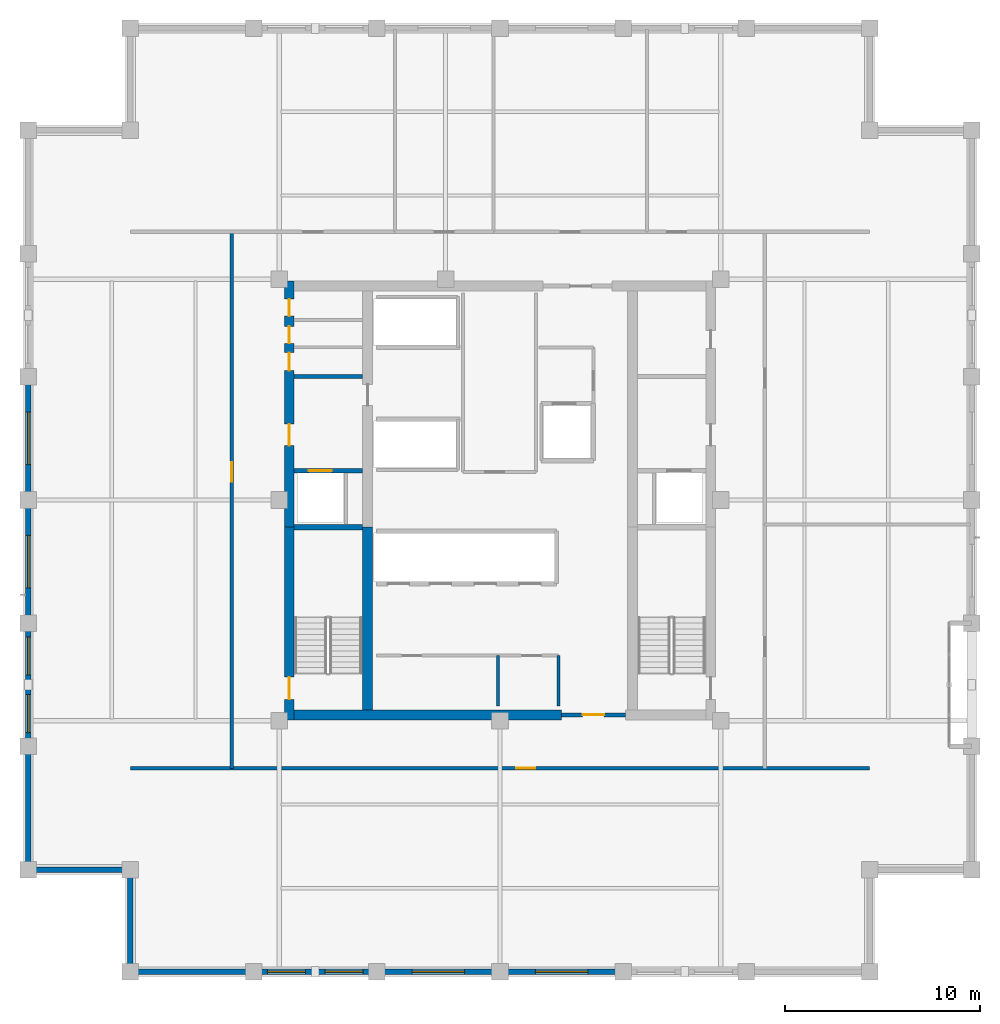
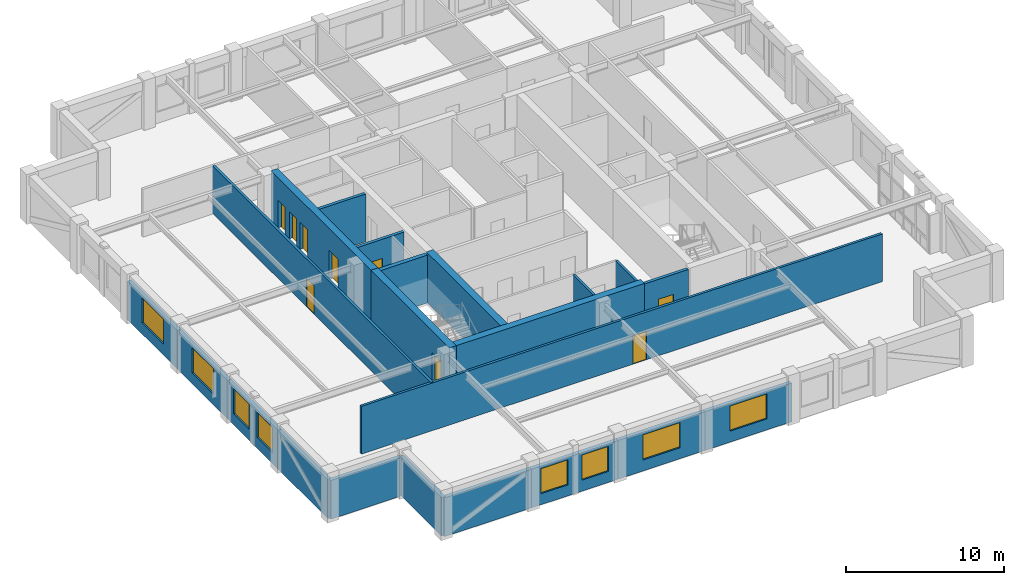
# One storey, part 7 of 11: 22 walls, 9 doors, 8 windows, 17 openings.
"""IFC4 building model written with IfcOpenShell, lengths in metres."""

from ifc_helpers import new_model, si_unit, direction, frame, frame_2d, origin, place, context, subcontext, project, spatial, rectangle, extrude, material, layer, layer_set, type_object, element, fill, save


model = new_model("IFC4")

# Units and contexts
model_context = context("Model", 3, precision=1e-05, world=origin(), true_north=direction((0.0, 1.0)))
body_context = subcontext(model_context, "Body", "Model", "MODEL_VIEW")
ifc_project = project(units=[si_unit("LENGTHUNIT", "METRE"), si_unit("AREAUNIT", "SQUARE_METRE"), si_unit("VOLUMEUNIT", "CUBIC_METRE"), si_unit("PLANEANGLEUNIT", "RADIAN"), si_unit("MASSUNIT", "GRAM", prefix="KILO")], contexts=[model_context])

# Site, building, storey
site_placement = place(None, origin())
site = spatial("IfcSite", under=ifc_project, at=site_placement, CompositionType="ELEMENT")
building_placement = place(site_placement, origin())
building = spatial("IfcBuilding", under=site, at=building_placement, Name="Nhamokura Convention Tower", CompositionType="ELEMENT")
storey_placement = place(building_placement, frame((0.0, 0.0, 244.64990234375)))
storey = spatial("IfcBuildingStorey", under=building, at=storey_placement, Name="L60", CompositionType="ELEMENT", Elevation=244.64990234375)

# Wall
ifc_material_1 = material(Name="Bronze-pigmented precast concrete C45/55", Category="concrete")
ifc_layer_1 = layer(ifc_material_1, 0.280029296875)
ifc_layer_set_1 = layer_set([ifc_layer_1], Name="BronzePrecastSpandrel_280")
wall_type_1 = type_object("IfcWallType", Name="BronzePrecastSpandrel_280", PredefinedType="USERDEFINED", material=ifc_layer_set_1)
wall_1_placement = place(storey_placement, frame((19.333251953125, 7.75, 0.0), z_axis=(0.0, 0.0, 1.0), x_axis=(-1.0, 0.0, 0.0)))
element("IfcWall", 1, at=wall_1_placement, inside=storey, type_object=wall_type_1, Name="L60 Braced-Bay Precast Wall SOUTH 0", ObjectType="SPANDREL_WALL", PredefinedType="USERDEFINED", context=body_context, shape_type="SweptSolid", body=[
    extrude(rectangle(XDim=6.333251953125, YDim=0.280029296875, at=frame_2d((3.16650390625, 0.0))), origin(), (0.0, 0.0, 1.0), 2.985107421875),
])

# Wall, openings, windows
wall_2_placement = place(storey_placement, frame((25.666748046875, 7.75, 0.0), z_axis=(0.0, 0.0, 1.0), x_axis=(-1.0, 0.0, 0.0)))
wall_2 = element("IfcWall", 2, at=wall_2_placement, inside=storey, type_object=wall_type_1, Name="L60 Masonry-Frame Wall SOUTH 1", ObjectType="SPANDREL_WALL", PredefinedType="USERDEFINED", context=body_context, shape_type="SweptSolid", body=[
    extrude(rectangle(XDim=6.33349609375, YDim=0.280029296875, at=frame_2d((3.166748046875, 0.0))), origin(), (0.0, 0.0, 1.0), 2.985107421875),
])
opening_1_placement = place(wall_2_placement, frame((0.708251953125, 0.0, 0.85009765625)))
opening_1 = element("IfcOpeningElement", 3, at=opening_1_placement, cuts=wall_2, Name="Opening W-08", PredefinedType="OPENING", context=body_context, shape_type="SweptSolid", body=[
    extrude(rectangle(XDim=1.949951171875, YDim=1.93505859375, at=frame_2d((0.97509765625, 0.967529296875))), frame((0.0, 0.14990234375, 0.0), z_axis=(0.0, -1.0, 0.0), x_axis=(1.0, 0.0, 0.0)), (0.0, 0.0, 1.0), 0.300048828125),
])
opening_2_placement = place(wall_2_placement, frame((3.675048828125, 0.0, 0.85009765625)))
opening_2 = element("IfcOpeningElement", 4, at=opening_2_placement, cuts=wall_2, Name="Opening W-08", PredefinedType="OPENING", context=body_context, shape_type="SweptSolid", body=[
    extrude(rectangle(XDim=1.949951171875, YDim=1.93505859375, at=frame_2d((0.97509765625, 0.967529296875))), frame((0.0, 0.14990234375, 0.0), z_axis=(0.0, -1.0, 0.0), x_axis=(1.0, 0.0, 0.0)), (0.0, 0.0, 1.0), 0.300048828125),
])
ifc_material_2 = material(Name="Solar-control bronze low-E double glass", Category="glass")
window_type_1 = type_object("IfcWindowType", Name="OfficeModuleWindow_Z3_1950", PartitioningType="SINGLE_PANEL", PredefinedType="WINDOW", material=ifc_material_2)
window_1_placement = place(opening_1_placement, origin())
window_1 = element("IfcWindow", 5, at=window_1_placement, inside=storey, type_object=window_type_1, Name="L60 Facade Window SOUTH 1-1", OverallHeight=1.93505859375, OverallWidth=1.949951171875, PartitioningType="SINGLE_PANEL", PredefinedType="WINDOW", context=body_context, shape_type="SweptSolid", body=[
    extrude(rectangle(XDim=1.949951171875, YDim=1.93505859375, at=frame_2d((0.97509765625, 0.967529296875))), frame((0.0, 0.030029296875, 0.0), z_axis=(0.0, -1.0, 0.0), x_axis=(1.0, 0.0, 0.0)), (0.0, 0.0, 1.0), 0.06005859375),
])
fill(opening_1, window_1)
window_2_placement = place(opening_2_placement, origin())
window_2 = element("IfcWindow", 6, at=window_2_placement, inside=storey, type_object=window_type_1, Name="L60 Facade Window SOUTH 1-2", OverallHeight=1.93505859375, OverallWidth=1.949951171875, PartitioningType="SINGLE_PANEL", PredefinedType="WINDOW", context=body_context, shape_type="SweptSolid", body=[
    extrude(rectangle(XDim=1.949951171875, YDim=1.93505859375, at=frame_2d((0.97509765625, 0.967529296875))), frame((0.0, 0.030029296875, 0.0), z_axis=(0.0, -1.0, 0.0), x_axis=(1.0, 0.0, 0.0)), (0.0, 0.0, 1.0), 0.06005859375),
])
fill(opening_2, window_2)

# Wall, opening, window
wall_3_placement = place(storey_placement, frame((32.0, 7.75, 0.0), z_axis=(0.0, 0.0, 1.0), x_axis=(-1.0, 0.0, 0.0)))
wall_3 = element("IfcWall", 7, at=wall_3_placement, inside=storey, type_object=wall_type_1, Name="L60 Masonry-Frame Wall SOUTH 2", ObjectType="SPANDREL_WALL", PredefinedType="USERDEFINED", context=body_context, shape_type="SweptSolid", body=[
    extrude(rectangle(XDim=6.333251953125, YDim=0.280029296875, at=frame_2d((3.16650390625, 0.0))), origin(), (0.0, 0.0, 1.0), 2.985107421875),
])
opening_3_placement = place(wall_3_placement, frame((1.816650390625, 0.0, 0.85009765625)))
opening_3 = element("IfcOpeningElement", 8, at=opening_3_placement, cuts=wall_3, Name="Opening W-07", PredefinedType="OPENING", context=body_context, shape_type="SweptSolid", body=[
    extrude(rectangle(XDim=2.699951171875, YDim=1.93505859375, at=frame_2d((1.35009765625, 0.967529296875))), frame((0.0, 0.14990234375, 0.0), z_axis=(0.0, -1.0, 0.0), x_axis=(1.0, 0.0, 0.0)), (0.0, 0.0, 1.0), 0.300048828125),
])
ifc_material_3 = material(Name="Solar-control bronze low-E double glass", Category="glass")
window_type_2 = type_object("IfcWindowType", Name="OfficeModuleWindow_Z3_2700", PartitioningType="DOUBLE_PANEL_VERTICAL", PredefinedType="WINDOW", material=ifc_material_3)
window_3_placement = place(opening_3_placement, origin())
window_3 = element("IfcWindow", 9, at=window_3_placement, inside=storey, type_object=window_type_2, Name="L60 Facade Window SOUTH 2", OverallHeight=1.93505859375, OverallWidth=2.699951171875, PartitioningType="SINGLE_PANEL", PredefinedType="WINDOW", context=body_context, shape_type="SweptSolid", body=[
    extrude(rectangle(XDim=2.699951171875, YDim=1.93505859375, at=frame_2d((1.35009765625, 0.967529296875))), frame((0.0, 0.030029296875, 0.0), z_axis=(0.0, -1.0, 0.0), x_axis=(1.0, 0.0, 0.0)), (0.0, 0.0, 1.0), 0.06005859375),
])
fill(opening_3, window_3)

wall_4_placement = place(storey_placement, frame((38.333251953125, 7.75, 0.0), z_axis=(0.0, 0.0, 1.0), x_axis=(-1.0, 0.0, 0.0)))
wall_4 = element("IfcWall", 10, at=wall_4_placement, inside=storey, type_object=wall_type_1, Name="L60 Masonry-Frame Wall SOUTH 3", ObjectType="SPANDREL_WALL", PredefinedType="USERDEFINED", context=body_context, shape_type="SweptSolid", body=[
    extrude(rectangle(XDim=6.333251953125, YDim=0.280029296875, at=frame_2d((3.16650390625, 0.0))), origin(), (0.0, 0.0, 1.0), 2.985107421875),
])
opening_4_placement = place(wall_4_placement, frame((1.816650390625, 0.0, 0.85009765625)))
opening_4 = element("IfcOpeningElement", 11, at=opening_4_placement, cuts=wall_4, Name="Opening W-07", PredefinedType="OPENING", context=body_context, shape_type="SweptSolid", body=[
    extrude(rectangle(XDim=2.699951171875, YDim=1.93505859375, at=frame_2d((1.35009765625, 0.967529296875))), frame((0.0, 0.14990234375, 0.0), z_axis=(0.0, -1.0, 0.0), x_axis=(1.0, 0.0, 0.0)), (0.0, 0.0, 1.0), 0.300048828125),
])
window_4_placement = place(opening_4_placement, origin())
window_4 = element("IfcWindow", 12, at=window_4_placement, inside=storey, type_object=window_type_2, Name="L60 Facade Window SOUTH 3", OverallHeight=1.93505859375, OverallWidth=2.699951171875, PartitioningType="SINGLE_PANEL", PredefinedType="WINDOW", context=body_context, shape_type="SweptSolid", body=[
    extrude(rectangle(XDim=2.699951171875, YDim=1.93505859375, at=frame_2d((1.35009765625, 0.967529296875))), frame((0.0, 0.030029296875, 0.0), z_axis=(0.0, -1.0, 0.0), x_axis=(1.0, 0.0, 0.0)), (0.0, 0.0, 1.0), 0.06005859375),
])
fill(opening_4, window_4)

# Wall
wall_5_placement = place(storey_placement, frame((7.75, 13.0, 0.0), z_axis=(0.0, 0.0, 1.0), x_axis=(0.0, 1.0, 0.0)))
element("IfcWall", 13, at=wall_5_placement, inside=storey, type_object=wall_type_1, Name="L60 Braced-Bay Precast Wall WEST 0", ObjectType="SPANDREL_WALL", PredefinedType="USERDEFINED", context=body_context, shape_type="SweptSolid", body=[
    extrude(rectangle(XDim=6.333251953125, YDim=0.280029296875, at=frame_2d((3.16650390625, 0.0))), origin(), (0.0, 0.0, 1.0), 2.985107421875),
])

# Wall, openings, windows
wall_6_placement = place(storey_placement, frame((7.75, 19.333251953125, 0.0), z_axis=(0.0, 0.0, 1.0), x_axis=(0.0, 1.0, 0.0)))
wall_6 = element("IfcWall", 14, at=wall_6_placement, inside=storey, type_object=wall_type_1, Name="L60 Masonry-Frame Wall WEST 1", ObjectType="SPANDREL_WALL", PredefinedType="USERDEFINED", context=body_context, shape_type="SweptSolid", body=[
    extrude(rectangle(XDim=6.33349609375, YDim=0.280029296875, at=frame_2d((3.166748046875, 0.0))), origin(), (0.0, 0.0, 1.0), 2.985107421875),
])
opening_5_placement = place(wall_6_placement, frame((0.708251953125, 0.0, 0.85009765625)))
opening_5 = element("IfcOpeningElement", 15, at=opening_5_placement, cuts=wall_6, Name="Opening W-08", PredefinedType="OPENING", context=body_context, shape_type="SweptSolid", body=[
    extrude(rectangle(XDim=1.949951171875, YDim=1.93505859375, at=frame_2d((0.97509765625, 0.967529296875))), frame((0.0, 0.14990234375, 0.0), z_axis=(0.0, -1.0, 0.0), x_axis=(1.0, 0.0, 0.0)), (0.0, 0.0, 1.0), 0.300048828125),
])
opening_6_placement = place(wall_6_placement, frame((3.675048828125, 0.0, 0.85009765625)))
opening_6 = element("IfcOpeningElement", 16, at=opening_6_placement, cuts=wall_6, Name="Opening W-08", PredefinedType="OPENING", context=body_context, shape_type="SweptSolid", body=[
    extrude(rectangle(XDim=1.949951171875, YDim=1.93505859375, at=frame_2d((0.97509765625, 0.967529296875))), frame((0.0, 0.14990234375, 0.0), z_axis=(0.0, -1.0, 0.0), x_axis=(1.0, 0.0, 0.0)), (0.0, 0.0, 1.0), 0.300048828125),
])
window_5_placement = place(opening_5_placement, origin())
window_5 = element("IfcWindow", 17, at=window_5_placement, inside=storey, type_object=window_type_1, Name="L60 Facade Window WEST 1-1", OverallHeight=1.93505859375, OverallWidth=1.949951171875, PartitioningType="SINGLE_PANEL", PredefinedType="WINDOW", context=body_context, shape_type="SweptSolid", body=[
    extrude(rectangle(XDim=1.949951171875, YDim=1.93505859375, at=frame_2d((0.97509765625, 0.967529296875))), frame((0.0, 0.030029296875, 0.0), z_axis=(0.0, -1.0, 0.0), x_axis=(1.0, 0.0, 0.0)), (0.0, 0.0, 1.0), 0.06005859375),
])
fill(opening_5, window_5)
window_6_placement = place(opening_6_placement, origin())
window_6 = element("IfcWindow", 18, at=window_6_placement, inside=storey, type_object=window_type_1, Name="L60 Facade Window WEST 1-2", OverallHeight=1.93505859375, OverallWidth=1.949951171875, PartitioningType="SINGLE_PANEL", PredefinedType="WINDOW", context=body_context, shape_type="SweptSolid", body=[
    extrude(rectangle(XDim=1.949951171875, YDim=1.93505859375, at=frame_2d((0.97509765625, 0.967529296875))), frame((0.0, 0.030029296875, 0.0), z_axis=(0.0, -1.0, 0.0), x_axis=(1.0, 0.0, 0.0)), (0.0, 0.0, 1.0), 0.06005859375),
])
fill(opening_6, window_6)

# Wall, opening, window
wall_7_placement = place(storey_placement, frame((7.75, 25.666748046875, 0.0), z_axis=(0.0, 0.0, 1.0), x_axis=(0.0, 1.0, 0.0)))
wall_7 = element("IfcWall", 19, at=wall_7_placement, inside=storey, type_object=wall_type_1, Name="L60 Masonry-Frame Wall WEST 2", ObjectType="SPANDREL_WALL", PredefinedType="USERDEFINED", context=body_context, shape_type="SweptSolid", body=[
    extrude(rectangle(XDim=6.333251953125, YDim=0.280029296875, at=frame_2d((3.16650390625, 0.0))), origin(), (0.0, 0.0, 1.0), 2.985107421875),
])
opening_7_placement = place(wall_7_placement, frame((1.816650390625, 0.0, 0.85009765625)))
opening_7 = element("IfcOpeningElement", 20, at=opening_7_placement, cuts=wall_7, Name="Opening W-07", PredefinedType="OPENING", context=body_context, shape_type="SweptSolid", body=[
    extrude(rectangle(XDim=2.699951171875, YDim=1.93505859375, at=frame_2d((1.35009765625, 0.967529296875))), frame((0.0, 0.14990234375, 0.0), z_axis=(0.0, -1.0, 0.0), x_axis=(1.0, 0.0, 0.0)), (0.0, 0.0, 1.0), 0.300048828125),
])
window_7_placement = place(opening_7_placement, origin())
window_7 = element("IfcWindow", 21, at=window_7_placement, inside=storey, type_object=window_type_2, Name="L60 Facade Window WEST 2", OverallHeight=1.93505859375, OverallWidth=2.699951171875, PartitioningType="SINGLE_PANEL", PredefinedType="WINDOW", context=body_context, shape_type="SweptSolid", body=[
    extrude(rectangle(XDim=2.699951171875, YDim=1.93505859375, at=frame_2d((1.35009765625, 0.967529296875))), frame((0.0, 0.030029296875, 0.0), z_axis=(0.0, -1.0, 0.0), x_axis=(1.0, 0.0, 0.0)), (0.0, 0.0, 1.0), 0.06005859375),
])
fill(opening_7, window_7)

wall_8_placement = place(storey_placement, frame((7.75, 32.0, 0.0), z_axis=(0.0, 0.0, 1.0), x_axis=(0.0, 1.0, 0.0)))
wall_8 = element("IfcWall", 22, at=wall_8_placement, inside=storey, type_object=wall_type_1, Name="L60 Masonry-Frame Wall WEST 3", ObjectType="SPANDREL_WALL", PredefinedType="USERDEFINED", context=body_context, shape_type="SweptSolid", body=[
    extrude(rectangle(XDim=6.333251953125, YDim=0.280029296875, at=frame_2d((3.16650390625, 0.0))), origin(), (0.0, 0.0, 1.0), 2.985107421875),
])
opening_8_placement = place(wall_8_placement, frame((1.816650390625, 0.0, 0.85009765625)))
opening_8 = element("IfcOpeningElement", 23, at=opening_8_placement, cuts=wall_8, Name="Opening W-07", PredefinedType="OPENING", context=body_context, shape_type="SweptSolid", body=[
    extrude(rectangle(XDim=2.699951171875, YDim=1.93505859375, at=frame_2d((1.35009765625, 0.967529296875))), frame((0.0, 0.14990234375, 0.0), z_axis=(0.0, -1.0, 0.0), x_axis=(1.0, 0.0, 0.0)), (0.0, 0.0, 1.0), 0.300048828125),
])
window_8_placement = place(opening_8_placement, origin())
window_8 = element("IfcWindow", 24, at=window_8_placement, inside=storey, type_object=window_type_2, Name="L60 Facade Window WEST 3", OverallHeight=1.93505859375, OverallWidth=2.699951171875, PartitioningType="SINGLE_PANEL", PredefinedType="WINDOW", context=body_context, shape_type="SweptSolid", body=[
    extrude(rectangle(XDim=2.699951171875, YDim=1.93505859375, at=frame_2d((1.35009765625, 0.967529296875))), frame((0.0, 0.030029296875, 0.0), z_axis=(0.0, -1.0, 0.0), x_axis=(1.0, 0.0, 0.0)), (0.0, 0.0, 1.0), 0.06005859375),
])
fill(opening_8, window_8)

# Walls
for number, where, z_axis, x_axis, name in (
    (25, (13.0, 7.75, 0.0), (0.0, 0.0, 1.0), (0.0, 1.0, 0.0), "L60 Notched Corner Wall SW1"),
    (26, (13.0, 13.0, 0.0), (0.0, 0.0, 1.0), (-1.0, 0.0, 0.0), "L60 Notched Corner Wall SW2"),
):
    element("IfcWall", number, at=place(storey_placement, frame(where, z_axis=z_axis, x_axis=x_axis)), inside=storey, type_object=wall_type_1, Name=name, ObjectType="SPANDREL_WALL", PredefinedType="USERDEFINED", context=body_context, shape_type="SweptSolid", body=[
        extrude(rectangle(XDim=5.25, YDim=0.280029296875, at=frame_2d((2.625, 0.0))), origin(), (0.0, 0.0, 1.0), 2.985107421875),
    ])

# Wall, opening, door
ifc_material_4 = material(Name="Concrete C60/75", Category="concrete")
ifc_layer_2 = layer(ifc_material_4, 0.5)
ifc_layer_set_2 = layer_set([ifc_layer_2], Name="CoreShearWall_500")
wall_type_2 = type_object("IfcWallType", Name="CoreShearWall_500", PredefinedType="SHEAR", material=ifc_layer_set_2)
wall_9_placement = place(storey_placement, frame((21.159912109375, 20.699951171875, 0.0), z_axis=(0.0, 0.0, 1.0), x_axis=(0.0, 1.0, 0.0)))
wall_9 = element("IfcWall", 27, at=wall_9_placement, inside=storey, type_object=wall_type_2, Name="L60 Core Shear Wall CW-WS", PredefinedType="SHEAR", context=body_context, shape_type="SweptSolid", body=[
    extrude(rectangle(XDim=9.900146484375, YDim=0.5, at=frame_2d((4.9501953125, 0.0))), origin(), (0.0, 0.0, 1.0), 3.85009765625),
])
opening_9_placement = place(wall_9_placement, frame((1.050048828125, 0.0, 0.0)))
opening_9 = element("IfcOpeningElement", 28, at=opening_9_placement, cuts=wall_9, Name="Opening D-04", PredefinedType="OPENING", context=body_context, shape_type="SweptSolid", body=[
    extrude(rectangle(XDim=1.14990234375, YDim=2.14990234375, at=frame_2d((0.574951171875, 1.074951171875))), frame((0.0, 0.260009765625, 0.0), z_axis=(0.0, -1.0, 0.0), x_axis=(1.0, 0.0, 0.0)), (0.0, 0.0, 1.0), 0.52001953125),
])
ifc_material_5 = material(Name="Fire-rated steel door", Category="steel")
door_type_1 = type_object("IfcDoorType", Name="StairSmokeDoor_1150", OperationType="NOTDEFINED", PredefinedType="DOOR", material=ifc_material_5)
door_1_placement = place(opening_9_placement, origin())
door_1 = element("IfcDoor", 29, at=door_1_placement, inside=storey, type_object=door_type_1, Name="L60 Core Door INT-L60-D-ST01", OperationType="SINGLE_SWING_LEFT", OverallHeight=2.14990234375, OverallWidth=1.14990234375, PredefinedType="DOOR", context=body_context, shape_type="SweptSolid", body=[
    extrude(rectangle(XDim=1.14990234375, YDim=2.14990234375, at=frame_2d((0.574951171875, 1.074951171875))), frame((0.0, 0.02490234375, 0.0), z_axis=(0.0, -1.0, 0.0), x_axis=(1.0, 0.0, 0.0)), (0.0, 0.0, 1.0), 0.050048828125),
])
fill(opening_9, door_1)

# Wall, openings, doors
wall_10_placement = place(storey_placement, frame((21.159912109375, 30.60009765625, 0.0), z_axis=(0.0, 0.0, 1.0), x_axis=(0.0, 1.0, 0.0)))
wall_10 = element("IfcWall", 30, at=wall_10_placement, inside=storey, type_object=wall_type_2, Name="L60 Core Shear Wall CW-WN", PredefinedType="SHEAR", context=body_context, shape_type="SweptSolid", body=[
    extrude(rectangle(XDim=12.64990234375, YDim=0.5, at=frame_2d((6.324951171875, 0.0))), origin(), (0.0, 0.0, 1.0), 3.85009765625),
])
opening_10_placement = place(wall_10_placement, frame((4.199951171875, 0.0, 0.0)))
opening_10 = element("IfcOpeningElement", 31, at=opening_10_placement, cuts=wall_10, Name="Opening D-05", PredefinedType="OPENING", context=body_context, shape_type="SweptSolid", body=[
    extrude(rectangle(XDim=1.10009765625, YDim=2.14990234375, at=frame_2d((0.550048828125, 1.074951171875))), frame((0.0, 0.260009765625, 0.0), z_axis=(0.0, -1.0, 0.0), x_axis=(1.0, 0.0, 0.0)), (0.0, 0.0, 1.0), 0.52001953125),
])
opening_11_placement = place(wall_10_placement, frame((8.050048828125, 0.0, 0.0)))
opening_11 = element("IfcOpeningElement", 32, at=opening_11_placement, cuts=wall_10, Name="Opening D-10", PredefinedType="OPENING", context=body_context, shape_type="SweptSolid", body=[
    extrude(rectangle(XDim=0.919921875, YDim=2.10009765625, at=frame_2d((0.4599609375, 1.050048828125))), frame((0.0, 0.260009765625, 0.0), z_axis=(0.0, -1.0, 0.0), x_axis=(1.0, 0.0, 0.0)), (0.0, 0.0, 1.0), 0.52001953125),
])
opening_12_placement = place(wall_10_placement, frame((9.449951171875, 0.0, 0.0)))
opening_12 = element("IfcOpeningElement", 33, at=opening_12_placement, cuts=wall_10, Name="Opening D-11", PredefinedType="OPENING", context=body_context, shape_type="SweptSolid", body=[
    extrude(rectangle(XDim=0.8798828125, YDim=2.10009765625, at=frame_2d((0.43994140625, 1.050048828125))), frame((0.0, 0.260009765625, 0.0), z_axis=(0.0, -1.0, 0.0), x_axis=(1.0, 0.0, 0.0)), (0.0, 0.0, 1.0), 0.52001953125),
])
opening_13_placement = place(wall_10_placement, frame((10.85009765625, 0.0, 0.0)))
opening_13 = element("IfcOpeningElement", 34, at=opening_13_placement, cuts=wall_10, Name="Opening D-11", PredefinedType="OPENING", context=body_context, shape_type="SweptSolid", body=[
    extrude(rectangle(XDim=0.8798828125, YDim=2.10009765625, at=frame_2d((0.43994140625, 1.050048828125))), frame((0.0, 0.260009765625, 0.0), z_axis=(0.0, -1.0, 0.0), x_axis=(1.0, 0.0, 0.0)), (0.0, 0.0, 1.0), 0.52001953125),
])
ifc_material_6 = material(Name="Solid oak hardwood", Category="wood")
door_type_2 = type_object("IfcDoorType", Name="AccessibleWCDoor_920", OperationType="NOTDEFINED", PredefinedType="DOOR", material=ifc_material_6)
door_2_placement = place(opening_11_placement, origin())
door_2 = element("IfcDoor", 35, at=door_2_placement, inside=storey, type_object=door_type_2, Name="L60 Core Door INT-L60-D-AWC", OperationType="SINGLE_SWING_LEFT", OverallHeight=2.10009765625, OverallWidth=0.919921875, PredefinedType="DOOR", context=body_context, shape_type="SweptSolid", body=[
    extrude(rectangle(XDim=0.919921875, YDim=2.10009765625, at=frame_2d((0.4599609375, 1.050048828125))), frame((0.0, 0.02490234375, 0.0), z_axis=(0.0, -1.0, 0.0), x_axis=(1.0, 0.0, 0.0)), (0.0, 0.0, 1.0), 0.050048828125),
])
fill(opening_11, door_2)
ifc_material_7 = material(Name="Solid oak hardwood", Category="wood")
door_type_3 = type_object("IfcDoorType", Name="BathroomDoor_880", OperationType="NOTDEFINED", PredefinedType="DOOR", material=ifc_material_7)
door_3_placement = place(opening_12_placement, origin())
door_3 = element("IfcDoor", 36, at=door_3_placement, inside=storey, type_object=door_type_3, Name="L60 Core Door INT-L60-D-CLN", OperationType="SINGLE_SWING_RIGHT", OverallHeight=2.10009765625, OverallWidth=0.8798828125, PredefinedType="DOOR", context=body_context, shape_type="SweptSolid", body=[
    extrude(rectangle(XDim=0.8798828125, YDim=2.10009765625, at=frame_2d((0.43994140625, 1.050048828125))), frame((0.0, 0.02490234375, 0.0), z_axis=(0.0, -1.0, 0.0), x_axis=(1.0, 0.0, 0.0)), (0.0, 0.0, 1.0), 0.050048828125),
])
fill(opening_12, door_3)
door_4_placement = place(opening_13_placement, origin())
door_4 = element("IfcDoor", 37, at=door_4_placement, inside=storey, type_object=door_type_3, Name="L60 Core Door INT-L60-D-PNT", OperationType="SINGLE_SWING_LEFT", OverallHeight=2.10009765625, OverallWidth=0.8798828125, PredefinedType="DOOR", context=body_context, shape_type="SweptSolid", body=[
    extrude(rectangle(XDim=0.8798828125, YDim=2.10009765625, at=frame_2d((0.43994140625, 1.050048828125))), frame((0.0, 0.02490234375, 0.0), z_axis=(0.0, -1.0, 0.0), x_axis=(1.0, 0.0, 0.0)), (0.0, 0.0, 1.0), 0.050048828125),
])
fill(opening_13, door_4)
ifc_material_8 = material(Name="Fire-rated steel door", Category="steel")
door_type_4 = type_object("IfcDoorType", Name="FireLobbyDoor_1100", OperationType="NOTDEFINED", PredefinedType="DOOR", material=ifc_material_8)
door_5_placement = place(opening_10_placement, origin())
door_5 = element("IfcDoor", 38, at=door_5_placement, inside=storey, type_object=door_type_4, Name="L60 Core Door INT-L60-D-FFLW", OperationType="SINGLE_SWING_RIGHT", OverallHeight=2.14990234375, OverallWidth=1.10009765625, PredefinedType="DOOR", context=body_context, shape_type="SweptSolid", body=[
    extrude(rectangle(XDim=1.10009765625, YDim=2.14990234375, at=frame_2d((0.550048828125, 1.074951171875))), frame((0.0, 0.02490234375, 0.0), z_axis=(0.0, -1.0, 0.0), x_axis=(1.0, 0.0, 0.0)), (0.0, 0.0, 1.0), 0.050048828125),
])
fill(opening_10, door_5)

# Walls
wall_11_placement = place(storey_placement, frame((21.409912109375, 20.949951171875, 0.0), z_axis=(0.0, 0.0, 1.0), x_axis=(1.0, 0.0, 0.0)))
element("IfcWall", 39, at=wall_11_placement, inside=storey, type_object=wall_type_2, Name="L60 Core Shear Wall CW-S1", PredefinedType="SHEAR", context=body_context, shape_type="SweptSolid", body=[
    extrude(rectangle(XDim=13.739990234375, YDim=0.5, at=frame_2d((6.8701171875, 0.0))), origin(), (0.0, 0.0, 1.0), 3.85009765625),
])
wall_12_placement = place(storey_placement, frame((25.18994140625, 21.199951171875, 0.0), z_axis=(0.0, 0.0, 1.0), x_axis=(0.0, 1.0, 0.0)))
element("IfcWall", 40, at=wall_12_placement, inside=storey, type_object=wall_type_2, Name="L60 Core Shear Wall CW-IWS", PredefinedType="SHEAR", context=body_context, shape_type="SweptSolid", body=[
    extrude(rectangle(XDim=9.400146484375, YDim=0.5, at=frame_2d((4.7001953125, 0.0))), origin(), (0.0, 0.0, 1.0), 3.85009765625),
])

# Wall, opening, door
ifc_material_9 = material(Name="Fire-rated gypsum and masonry partition", Category="masonry")
ifc_layer_3 = layer(ifc_material_9, 0.179931640625)
ifc_layer_set_3 = layer_set([ifc_layer_3], Name="CorridorRatedWall_180")
wall_type_3 = type_object("IfcWallType", Name="CorridorRatedWall_180", PredefinedType="STANDARD", material=ifc_layer_set_3)
wall_13_placement = place(storey_placement, frame((13.0, 18.199951171875, 0.0), z_axis=(0.0, 0.0, 1.0), x_axis=(1.0, 0.0, 0.0)))
wall_13 = element("IfcWall", 41, at=wall_13_placement, inside=storey, type_object=wall_type_3, Name="L60 Wall INT-L60-CW-S00", PredefinedType="STANDARD", context=body_context, shape_type="SweptSolid", body=[
    extrude(rectangle(XDim=38.0, YDim=0.179931640625, at=frame_2d((19.0, 0.0))), origin(), (0.0, 0.0, 1.0), 3.68505859375),
])
opening_14_placement = place(wall_13_placement, frame((19.824951171875, 0.0, 0.0)))
opening_14 = element("IfcOpeningElement", 42, at=opening_14_placement, cuts=wall_13, Name="Opening D-08", PredefinedType="OPENING", context=body_context, shape_type="SweptSolid", body=[
    extrude(rectangle(XDim=0.97998046875, YDim=2.199951171875, at=frame_2d((0.489990234375, 1.10009765625))), frame((0.0, 0.099853515625, 0.0), z_axis=(0.0, -1.0, 0.0), x_axis=(1.0, 0.0, 0.0)), (0.0, 0.0, 1.0), 0.199951171875),
])
ifc_material_10 = material(Name="Solid oak hardwood", Category="wood")
door_type_5 = type_object("IfcDoorType", Name="OfficeEntryDoor_980", OperationType="NOTDEFINED", PredefinedType="DOOR", material=ifc_material_10)
door_6_placement = place(opening_14_placement, origin())
door_6 = element("IfcDoor", 43, at=door_6_placement, inside=storey, type_object=door_type_5, Name="L60 Fitness Gym S01 Door", OperationType="SINGLE_SWING_LEFT", OverallHeight=2.199951171875, OverallWidth=0.97998046875, PredefinedType="DOOR", context=body_context, shape_type="SweptSolid", body=[
    extrude(rectangle(XDim=0.97998046875, YDim=2.199951171875, at=frame_2d((0.489990234375, 1.10009765625))), frame((0.0, 0.02490234375, 0.0), z_axis=(0.0, -1.0, 0.0), x_axis=(1.0, 0.0, 0.0)), (0.0, 0.0, 1.0), 0.050048828125),
])
fill(opening_14, door_6)

wall_14_placement = place(storey_placement, frame((18.199951171875, 18.199951171875, 0.0), z_axis=(0.0, 0.0, 1.0), x_axis=(0.0, 1.0, 0.0)))
wall_14 = element("IfcWall", 44, at=wall_14_placement, inside=storey, type_object=wall_type_3, Name="L60 Wall INT-L60-CW-W00", PredefinedType="STANDARD", context=body_context, shape_type="SweptSolid", body=[
    extrude(rectangle(XDim=27.60009765625, YDim=0.179931640625, at=frame_2d((13.800048828125, 0.0))), origin(), (0.0, 0.0, 1.0), 3.68505859375),
])
opening_15_placement = place(wall_14_placement, frame((14.75, 0.0, 0.0)))
opening_15 = element("IfcOpeningElement", 45, at=opening_15_placement, cuts=wall_14, Name="Opening D-08", PredefinedType="OPENING", context=body_context, shape_type="SweptSolid", body=[
    extrude(rectangle(XDim=0.97998046875, YDim=2.199951171875, at=frame_2d((0.489990234375, 1.10009765625))), frame((0.0, 0.099853515625, 0.0), z_axis=(0.0, -1.0, 0.0), x_axis=(1.0, 0.0, 0.0)), (0.0, 0.0, 1.0), 0.199951171875),
])
door_7_placement = place(opening_15_placement, origin())
door_7 = element("IfcDoor", 46, at=door_7_placement, inside=storey, type_object=door_type_5, Name="L60 Changing Room W01 Door", OperationType="SINGLE_SWING_LEFT", OverallHeight=2.199951171875, OverallWidth=0.97998046875, PredefinedType="DOOR", context=body_context, shape_type="SweptSolid", body=[
    extrude(rectangle(XDim=0.97998046875, YDim=2.199951171875, at=frame_2d((0.489990234375, 1.10009765625))), frame((0.0, 0.02490234375, 0.0), z_axis=(0.0, -1.0, 0.0), x_axis=(1.0, 0.0, 0.0)), (0.0, 0.0, 1.0), 0.050048828125),
])
fill(opening_15, door_7)

ifc_material_11 = material(Name="Autoclaved concrete blockwork", Category="masonry")
ifc_layer_4 = layer(ifc_material_11, 0.219970703125)
ifc_layer_set_4 = layer_set([ifc_layer_4], Name="FireLobbyWall_220")
wall_type_4 = type_object("IfcWallType", Name="FireLobbyWall_220", PredefinedType="STANDARD", material=ifc_layer_set_4)
wall_15_placement = place(storey_placement, frame((21.409912109375, 33.5, 0.0), z_axis=(0.0, 0.0, 1.0), x_axis=(1.0, 0.0, 0.0)))
wall_15 = element("IfcWall", 47, at=wall_15_placement, inside=storey, type_object=wall_type_4, Name="L60 Wall INT-L60-FFW-S", PredefinedType="STANDARD", context=body_context, shape_type="SweptSolid", body=[
    extrude(rectangle(XDim=3.530029296875, YDim=0.219970703125, at=frame_2d((1.76513671875, 0.0))), origin(), (0.0, 0.0, 1.0), 3.68505859375),
])
opening_16_placement = place(wall_15_placement, frame((0.75, 0.0, 0.0)))
opening_16 = element("IfcOpeningElement", 48, at=opening_16_placement, cuts=wall_15, Name="Opening LD-02", PredefinedType="OPENING", context=body_context, shape_type="SweptSolid", body=[
    extrude(rectangle(XDim=1.199951171875, YDim=2.199951171875, at=frame_2d((0.60009765625, 1.10009765625))), frame((0.0, 0.119873046875, 0.0), z_axis=(0.0, -1.0, 0.0), x_axis=(1.0, 0.0, 0.0)), (0.0, 0.0, 1.0), 0.239990234375),
])
ifc_material_12 = material(Name="Anodised bronze stainless steel", Category="steel")
door_type_6 = type_object("IfcDoorType", Name="LiftLandingDoor_FireService", OperationType="DOUBLE_DOOR_SLIDING", PredefinedType="DOOR", material=ifc_material_12)
door_8_placement = place(opening_16_placement, origin())
door_8 = element("IfcDoor", 49, at=door_8_placement, inside=storey, type_object=door_type_6, Name="L60 Firefighting Lift LF-01 Door", OperationType="DOUBLE_DOOR_SLIDING", OverallHeight=2.199951171875, OverallWidth=1.199951171875, PredefinedType="DOOR", context=body_context, shape_type="SweptSolid", body=[
    extrude(rectangle(XDim=1.199951171875, YDim=2.199951171875, at=frame_2d((0.60009765625, 1.10009765625))), frame((0.0, 0.02490234375, 0.0), z_axis=(0.0, -1.0, 0.0), x_axis=(1.0, 0.0, 0.0)), (0.0, 0.0, 1.0), 0.050048828125),
])
fill(opening_16, door_8)

# Wall
wall_16_placement = place(storey_placement, frame((21.409912109375, 38.35009765625, 0.0), z_axis=(0.0, 0.0, 1.0), x_axis=(1.0, 0.0, 0.0)))
element("IfcWall", 50, at=wall_16_placement, inside=storey, type_object=wall_type_4, Name="L60 Wall INT-L60-FFW-N", PredefinedType="STANDARD", context=body_context, shape_type="SweptSolid", body=[
    extrude(rectangle(XDim=3.530029296875, YDim=0.219970703125, at=frame_2d((1.76513671875, 0.0))), origin(), (0.0, 0.0, 1.0), 3.68505859375),
])

# Wall, opening, door
wall_17_placement = place(storey_placement, frame((35.14990234375, 20.949951171875, 0.0), z_axis=(0.0, 0.0, 1.0), x_axis=(1.0, 0.0, 0.0)))
wall_17 = element("IfcWall", 51, at=wall_17_placement, inside=storey, type_object=wall_type_4, Name="L60 Wall INT-L60-SPORT-S", PredefinedType="STANDARD", context=body_context, shape_type="SweptSolid", body=[
    extrude(rectangle(XDim=3.300048828125, YDim=0.219970703125, at=frame_2d((1.64990234375, 0.0))), origin(), (0.0, 0.0, 1.0), 3.68505859375),
])
opening_17_placement = place(wall_17_placement, frame((1.10009765625, 0.0, 0.0)))
opening_17 = element("IfcOpeningElement", 52, at=opening_17_placement, cuts=wall_17, Name="Opening D-05", PredefinedType="OPENING", context=body_context, shape_type="SweptSolid", body=[
    extrude(rectangle(XDim=1.10009765625, YDim=2.14990234375, at=frame_2d((0.550048828125, 1.074951171875))), frame((0.0, 0.119873046875, 0.0), z_axis=(0.0, -1.0, 0.0), x_axis=(1.0, 0.0, 0.0)), (0.0, 0.0, 1.0), 0.239990234375),
])
door_9_placement = place(opening_17_placement, origin())
door_9 = element("IfcDoor", 53, at=door_9_placement, inside=storey, type_object=door_type_4, Name="L60 South Core Lobby Portal Door", OperationType="SINGLE_SWING_LEFT", OverallHeight=2.14990234375, OverallWidth=1.10009765625, PredefinedType="DOOR", context=body_context, shape_type="SweptSolid", body=[
    extrude(rectangle(XDim=1.10009765625, YDim=2.14990234375, at=frame_2d((0.550048828125, 1.074951171875))), frame((0.0, 0.02490234375, 0.0), z_axis=(0.0, -1.0, 0.0), x_axis=(1.0, 0.0, 0.0)), (0.0, 0.0, 1.0), 0.050048828125),
])
fill(opening_17, door_9)

# Walls
ifc_material_13 = material(Name="Acoustic gypsum stud partition", Category="masonry")
ifc_layer_5 = layer(ifc_material_13, 0.14990234375)
ifc_layer_set_5 = layer_set([ifc_layer_5], Name="InteriorPartition_150")
wall_type_5 = type_object("IfcWallType", Name="InteriorPartition_150", PredefinedType="STANDARD", material=ifc_layer_set_5)
for number, where, z_axis, x_axis, name in (
    (54, (31.89990234375, 21.39990234375, 0.0), (0.0, 0.0, 1.0), (0.0, 1.0, 0.0), "L60 Wall INT-L60-B1R-M"),
    (55, (35.0, 21.39990234375, 0.0), (0.0, 0.0, 1.0), (0.0, 1.0, 0.0), "L60 Wall INT-L60-B1R-E"),
):
    element("IfcWall", number, at=place(storey_placement, frame(where, z_axis=z_axis, x_axis=x_axis)), inside=storey, type_object=wall_type_5, Name=name, PredefinedType="STANDARD", context=body_context, shape_type="SweptSolid", body=[
        extrude(rectangle(XDim=2.60009765625, YDim=0.14990234375, at=frame_2d((1.300048828125, 0.0))), origin(), (0.0, 0.0, 1.0), 3.68505859375),
    ])
ifc_material_14 = material(Name="Concrete C50/60", Category="concrete")
ifc_layer_6 = layer(ifc_material_14, 0.300048828125)
ifc_layer_set_6 = layer_set([ifc_layer_6], Name="ShaftEnclosureWall_300")
wall_type_6 = type_object("IfcWallType", Name="ShaftEnclosureWall_300", PredefinedType="SHEAR", material=ifc_layer_set_6)
wall_18_placement = place(storey_placement, frame((21.409912109375, 30.60009765625, 0.0), z_axis=(0.0, 0.0, 1.0), x_axis=(1.0, 0.0, 0.0)))
element("IfcWall", 56, at=wall_18_placement, inside=storey, type_object=wall_type_6, Name="L60 Wall INT-L60-ST01-N", PredefinedType="SHEAR", context=body_context, shape_type="SweptSolid", body=[
    extrude(rectangle(XDim=3.530029296875, YDim=0.300048828125, at=frame_2d((1.76513671875, 0.0))), origin(), (0.0, 0.0, 1.0), 3.68505859375),
])

save(model, "model.ifc")
